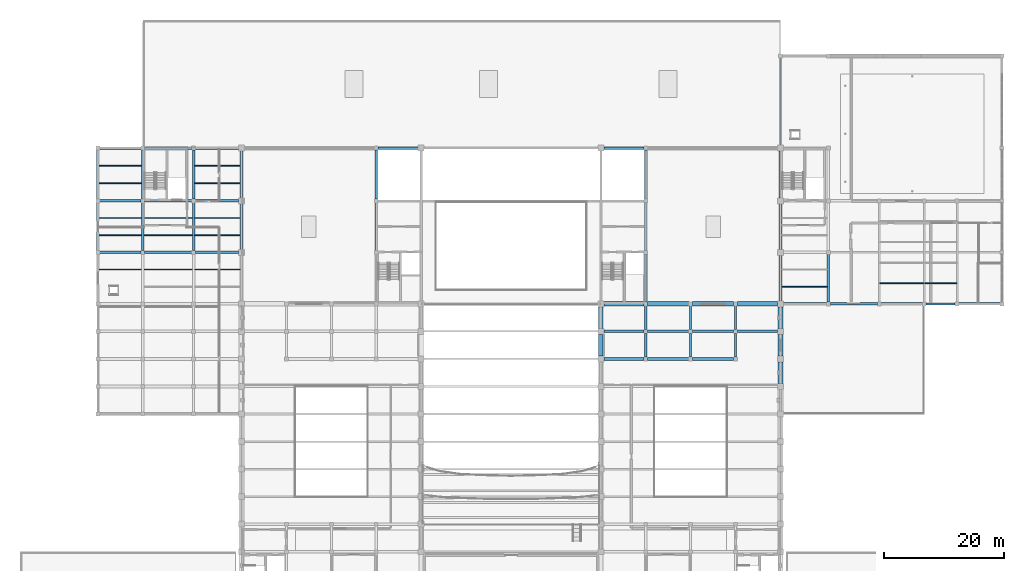
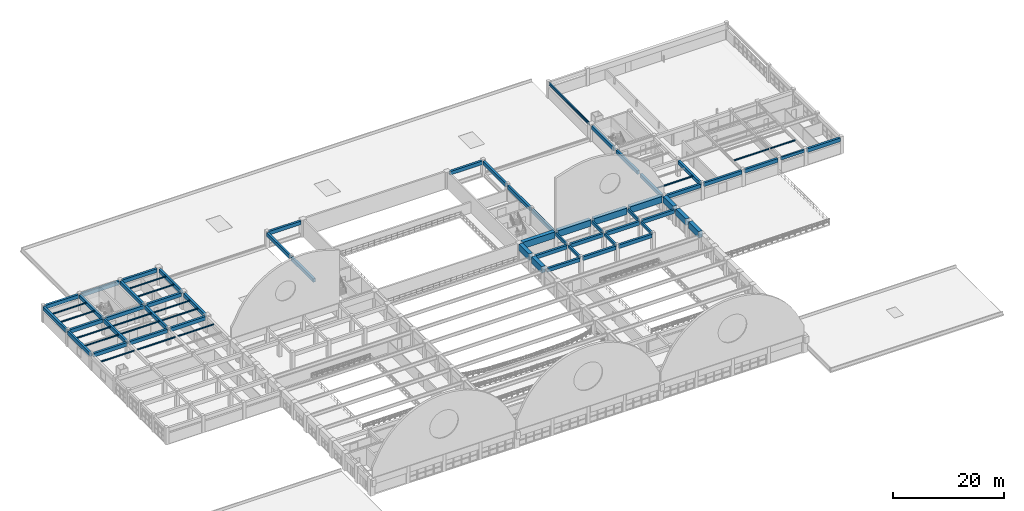
# One storey, part 31 of 74: 72 beams.
"""IFC4 building model written with IfcOpenShell, lengths in metres."""

from ifc_helpers import new_model, si_unit, direction, frame, origin, origin_2d, place, context, subcontext, project, spatial, rectangle, i_section, extrude, material, material_profile, profile_set, type_object, element, save


model = new_model("IFC4")

# Units and contexts
model_context = context("Model", 3, precision=1e-05, world=origin(), true_north=direction((0.0, 1.0)))
body_context = subcontext(model_context, "Body", "Model", "MODEL_VIEW")
ifc_project = project(units=[si_unit("LENGTHUNIT", "METRE"), si_unit("AREAUNIT", "SQUARE_METRE"), si_unit("VOLUMEUNIT", "CUBIC_METRE"), si_unit("PLANEANGLEUNIT", "RADIAN"), si_unit("MASSUNIT", "GRAM", prefix="KILO")], contexts=[model_context])

# Site, building, storey
site_placement = place(None, origin())
site = spatial("IfcSite", under=ifc_project, at=site_placement, CompositionType="ELEMENT")
building_placement = place(site_placement, origin())
building = spatial("IfcBuilding", under=site, at=building_placement, Name="Muzn Square Opera House", CompositionType="ELEMENT")
storey_placement = place(building_placement, frame((0.0, 0.0, 14.199951171875)))
storey = spatial("IfcBuildingStorey", under=building, at=storey_placement, Name="L03", CompositionType="ELEMENT", Elevation=14.199951171875)

# Beams
ifc_material_1 = material(Name="Concrete C40/50", Category="concrete")
ifc_material_profile_1 = material_profile(ifc_material_1, rectangle(XDim=0.35009765625, YDim=0.60009765625, at=origin_2d()), Name="RCB 350x600", Category="concrete")
ifc_profile_set_1 = profile_set([ifc_material_profile_1], Name="Concrete C40/50")
beam_type_1 = type_object("IfcBeamType", Name="Primary Girder 350x600", PredefinedType="BEAM", material=ifc_profile_set_1)
beam_1_placement = place(storey_placement, frame((157.31689453125, 72.60009765625, 3.219970703125), z_axis=(1.0, 0.0, 0.0), x_axis=(0.0, 1.0, 0.0)))
element("IfcBeam", 1, at=beam_1_placement, inside=storey, type_object=beam_type_1, Name="Primary Girder BM-L03-BM-PG600-1573_726_1622_726-2499", PredefinedType="BEAM", context=body_context, shape_type="SweptSolid", body=[
    extrude(rectangle(XDim=0.35009765625, YDim=0.60009765625, at=origin_2d()), origin(), (0.0, 0.0, 1.0), 4.8662109375),
])
for number, where, z_axis, x_axis, name in (
    (2, (110.5, 63.717041015625, 3.219970703125), (0.0, 1.0, 0.0), (-1.0, 0.0, 0.0), "Primary Girder BM-L03-BM-PG600-1105_637_1105_677-2598"),
    (3, (110.5, 68.31689453125, 3.219970703125), (0.0, 1.0, 0.0), (-1.0, 0.0, 0.0), "Primary Girder BM-L03-BM-PG600-1105_683_1105_723-2599"),
    (4, (118.0, 63.717041015625, 3.219970703125), (0.0, 1.0, 0.0), (-1.0, 0.0, 0.0), "Primary Girder BM-L03-BM-PG600-1180_637_1180_677-2606"),
    (5, (118.0, 68.31689453125, 3.219970703125), (0.0, 1.0, 0.0), (-1.0, 0.0, 0.0), "Primary Girder BM-L03-BM-PG600-1180_683_1180_723-2607"),
    (6, (125.5, 63.717041015625, 3.219970703125), (0.0, 1.0, 0.0), (-1.0, 0.0, 0.0), "Primary Girder BM-L03-BM-PG600-1255_637_1255_677-2611"),
    (7, (125.5, 68.31689453125, 3.219970703125), (0.0, 1.0, 0.0), (-1.0, 0.0, 0.0), "Primary Girder BM-L03-BM-PG600-1255_683_1255_723-2612"),
):
    element("IfcBeam", number, at=place(storey_placement, frame(where, z_axis=z_axis, x_axis=x_axis)), inside=storey, type_object=beam_type_1, Name=name, PredefinedType="BEAM", context=body_context, shape_type="SweptSolid", body=[
        extrude(rectangle(XDim=0.35009765625, YDim=0.60009765625, at=origin_2d()), origin(), (0.0, 0.0, 1.0), 3.966064453125),
    ])
ifc_material_profile_2 = material_profile(ifc_material_1, rectangle(XDim=0.449951171875, YDim=0.800048828125, at=origin_2d()), Name="RCB 450x800", Category="concrete")
ifc_profile_set_2 = profile_set([ifc_material_profile_2], Name="Concrete C40/50")
beam_type_2 = type_object("IfcBeamType", Name="Primary Girder 450x800", PredefinedType="BEAM", material=ifc_profile_set_2)
beam_2_placement = place(storey_placement, frame((103.491943359375, 63.39990234375, 3.1201171875), z_axis=(1.0, 0.0, 0.0), x_axis=(0.0, 1.0, 0.0)))
element("IfcBeam", 8, at=beam_2_placement, inside=storey, type_object=beam_type_2, Name="Primary Girder BM-L03-BM-PG800-1035_634_1102_634-2470", PredefinedType="BEAM", context=body_context, shape_type="SweptSolid", body=[
    extrude(rectangle(XDim=0.449951171875, YDim=0.800048828125, at=origin_2d()), origin(), (0.0, 0.0, 1.0), 6.691162109375),
])
for number, where, z_axis, x_axis, name in (
    (9, (110.81689453125, 63.39990234375, 3.1201171875), (1.0, 0.0, 0.0), (0.0, 1.0, 0.0), "Primary Girder BM-L03-BM-PG800-1108_634_1177_634-2471"),
    (10, (118.31689453125, 63.39990234375, 3.1201171875), (1.0, 0.0, 0.0), (0.0, 1.0, 0.0), "Primary Girder BM-L03-BM-PG800-1183_634_1252_634-2472"),
):
    element("IfcBeam", number, at=place(storey_placement, frame(where, z_axis=z_axis, x_axis=x_axis)), inside=storey, type_object=beam_type_2, Name=name, PredefinedType="BEAM", context=body_context, shape_type="SweptSolid", body=[
        extrude(rectangle(XDim=0.449951171875, YDim=0.800048828125, at=origin_2d()), origin(), (0.0, 0.0, 1.0), 6.8662109375),
    ])
beam_3_placement = place(storey_placement, frame((103.491943359375, 68.0, 3.1201171875), z_axis=(1.0, 0.0, 0.0), x_axis=(0.0, 1.0, 0.0)))
element("IfcBeam", 11, at=beam_3_placement, inside=storey, type_object=beam_type_2, Name="Primary Girder BM-L03-BM-PG800-1035_680_1102_680-2481", PredefinedType="BEAM", context=body_context, shape_type="SweptSolid", body=[
    extrude(rectangle(XDim=0.449951171875, YDim=0.800048828125, at=origin_2d()), origin(), (0.0, 0.0, 1.0), 6.691162109375),
])
for number, where, z_axis, x_axis, name in (
    (12, (110.81689453125, 68.0, 3.1201171875), (1.0, 0.0, 0.0), (0.0, 1.0, 0.0), "Primary Girder BM-L03-BM-PG800-1108_680_1177_680-2482"),
    (13, (118.31689453125, 68.0, 3.1201171875), (1.0, 0.0, 0.0), (0.0, 1.0, 0.0), "Primary Girder BM-L03-BM-PG800-1183_680_1252_680-2483"),
):
    element("IfcBeam", number, at=place(storey_placement, frame(where, z_axis=z_axis, x_axis=x_axis)), inside=storey, type_object=beam_type_2, Name=name, PredefinedType="BEAM", context=body_context, shape_type="SweptSolid", body=[
        extrude(rectangle(XDim=0.449951171875, YDim=0.800048828125, at=origin_2d()), origin(), (0.0, 0.0, 1.0), 6.8662109375),
    ])
beam_4_placement = place(storey_placement, frame((125.81689453125, 68.0, 3.1201171875), z_axis=(1.0, 0.0, 0.0), x_axis=(0.0, 1.0, 0.0)))
element("IfcBeam", 14, at=beam_4_placement, inside=storey, type_object=beam_type_2, Name="Primary Girder BM-L03-BM-PG800-1258_680_1325_680-2484", PredefinedType="BEAM", context=body_context, shape_type="SweptSolid", body=[
    extrude(rectangle(XDim=0.449951171875, YDim=0.800048828125, at=origin_2d()), origin(), (0.0, 0.0, 1.0), 6.691162109375),
])
beam_5_placement = place(storey_placement, frame((133.491943359375, 72.60009765625, 3.1201171875), z_axis=(1.0, 0.0, 0.0), x_axis=(0.0, 1.0, 0.0)))
element("IfcBeam", 15, at=beam_5_placement, inside=storey, type_object=beam_type_2, Name="Primary Girder BM-L03-BM-PG800-1335_726_1407_726-2496", PredefinedType="BEAM", context=body_context, shape_type="SweptSolid", body=[
    extrude(rectangle(XDim=0.449951171875, YDim=0.800048828125, at=origin_2d()), origin(), (0.0, 0.0, 1.0), 7.191162109375),
])
beam_6_placement = place(storey_placement, frame((141.31689453125, 72.60009765625, 3.1201171875), z_axis=(1.0, 0.0, 0.0), x_axis=(0.0, 1.0, 0.0)))
element("IfcBeam", 16, at=beam_6_placement, inside=storey, type_object=beam_type_2, Name="Primary Girder BM-L03-BM-PG800-1413_726_1492_726-2497", PredefinedType="BEAM", context=body_context, shape_type="SweptSolid", body=[
    extrude(rectangle(XDim=0.449951171875, YDim=0.800048828125, at=origin_2d()), origin(), (0.0, 0.0, 1.0), 7.8662109375),
])
for number, where, z_axis, x_axis, name in (
    (17, (149.81689453125, 72.60009765625, 3.1201171875), (1.0, 0.0, 0.0), (0.0, 1.0, 0.0), "Primary Girder BM-L03-BM-PG800-1498_726_1567_726-2498"),
    (18, (162.81689453125, 72.60009765625, 3.1201171875), (1.0, 0.0, 0.0), (0.0, 1.0, 0.0), "Primary Girder BM-L03-BM-PG800-1628_726_1697_726-2500"),
    (19, (19.31689453125, 81.199951171875, 3.1201171875), (1.0, 0.0, 0.0), (0.0, 1.0, 0.0), "Primary Girder BM-L03-BM-PG800-193_812_262_812-2501"),
):
    element("IfcBeam", number, at=place(storey_placement, frame(where, z_axis=z_axis, x_axis=x_axis)), inside=storey, type_object=beam_type_2, Name=name, PredefinedType="BEAM", context=body_context, shape_type="SweptSolid", body=[
        extrude(rectangle(XDim=0.449951171875, YDim=0.800048828125, at=origin_2d()), origin(), (0.0, 0.0, 1.0), 6.8662109375),
    ])
beam_7_placement = place(storey_placement, frame((26.81689453125, 81.199951171875, 3.1201171875), z_axis=(1.0, 0.0, 0.0), x_axis=(0.0, 1.0, 0.0)))
element("IfcBeam", 20, at=beam_7_placement, inside=storey, type_object=beam_type_2, Name="Primary Girder BM-L03-BM-PG800-268_812_347_812-2502", PredefinedType="BEAM", context=body_context, shape_type="SweptSolid", body=[
    extrude(rectangle(XDim=0.449951171875, YDim=0.800048828125, at=origin_2d()), origin(), (0.0, 0.0, 1.0), 7.8662109375),
])
beam_8_placement = place(storey_placement, frame((35.31689453125, 81.199951171875, 3.1201171875), z_axis=(1.0, 0.0, 0.0), x_axis=(0.0, 1.0, 0.0)))
element("IfcBeam", 21, at=beam_8_placement, inside=storey, type_object=beam_type_2, Name="Primary Girder BM-L03-BM-PG800-353_812_425_812-2503", PredefinedType="BEAM", context=body_context, shape_type="SweptSolid", body=[
    extrude(rectangle(XDim=0.449951171875, YDim=0.800048828125, at=origin_2d()), origin(), (0.0, 0.0, 1.0), 7.191162109375),
])
beam_9_placement = place(storey_placement, frame((19.31689453125, 89.800048828125, 3.1201171875), z_axis=(1.0, 0.0, 0.0), x_axis=(0.0, 1.0, 0.0)))
element("IfcBeam", 22, at=beam_9_placement, inside=storey, type_object=beam_type_2, Name="Primary Girder BM-L03-BM-PG800-193_898_262_898-2506", PredefinedType="BEAM", context=body_context, shape_type="SweptSolid", body=[
    extrude(rectangle(XDim=0.449951171875, YDim=0.800048828125, at=origin_2d()), origin(), (0.0, 0.0, 1.0), 6.8662109375),
])
beam_10_placement = place(storey_placement, frame((26.81689453125, 89.800048828125, 3.1201171875), z_axis=(1.0, 0.0, 0.0), x_axis=(0.0, 1.0, 0.0)))
element("IfcBeam", 23, at=beam_10_placement, inside=storey, type_object=beam_type_2, Name="Primary Girder BM-L03-BM-PG800-268_898_347_898-2507", PredefinedType="BEAM", context=body_context, shape_type="SweptSolid", body=[
    extrude(rectangle(XDim=0.449951171875, YDim=0.800048828125, at=origin_2d()), origin(), (0.0, 0.0, 1.0), 7.8662109375),
])
beam_11_placement = place(storey_placement, frame((35.31689453125, 89.800048828125, 3.1201171875), z_axis=(1.0, 0.0, 0.0), x_axis=(0.0, 1.0, 0.0)))
element("IfcBeam", 24, at=beam_11_placement, inside=storey, type_object=beam_type_2, Name="Primary Girder BM-L03-BM-PG800-353_898_425_898-2508", PredefinedType="BEAM", context=body_context, shape_type="SweptSolid", body=[
    extrude(rectangle(XDim=0.449951171875, YDim=0.800048828125, at=origin_2d()), origin(), (0.0, 0.0, 1.0), 7.191162109375),
])
beam_12_placement = place(storey_placement, frame((19.31689453125, 98.60009765625, 3.1201171875), z_axis=(1.0, 0.0, 0.0), x_axis=(0.0, 1.0, 0.0)))
element("IfcBeam", 25, at=beam_12_placement, inside=storey, type_object=beam_type_2, Name="Primary Girder BM-L03-BM-PG800-193_986_262_986-2514", PredefinedType="BEAM", context=body_context, shape_type="SweptSolid", body=[
    extrude(rectangle(XDim=0.449951171875, YDim=0.800048828125, at=origin_2d()), origin(), (0.0, 0.0, 1.0), 6.8662109375),
])
beam_13_placement = place(storey_placement, frame((26.81689453125, 98.60009765625, 3.1201171875), z_axis=(1.0, 0.0, 0.0), x_axis=(0.0, 1.0, 0.0)))
element("IfcBeam", 26, at=beam_13_placement, inside=storey, type_object=beam_type_2, Name="Primary Girder BM-L03-BM-PG800-268_986_347_986-2515", PredefinedType="BEAM", context=body_context, shape_type="SweptSolid", body=[
    extrude(rectangle(XDim=0.449951171875, YDim=0.800048828125, at=origin_2d()), origin(), (0.0, 0.0, 1.0), 7.8662109375),
])
beam_14_placement = place(storey_placement, frame((35.31689453125, 98.60009765625, 3.1201171875), z_axis=(1.0, 0.0, 0.0), x_axis=(0.0, 1.0, 0.0)))
element("IfcBeam", 27, at=beam_14_placement, inside=storey, type_object=beam_type_2, Name="Primary Girder BM-L03-BM-PG800-353_986_425_986-2516", PredefinedType="BEAM", context=body_context, shape_type="SweptSolid", body=[
    extrude(rectangle(XDim=0.449951171875, YDim=0.800048828125, at=origin_2d()), origin(), (0.0, 0.0, 1.0), 7.191162109375),
])
for number, where, z_axis, x_axis, name in (
    (28, (65.81689453125, 98.60009765625, 3.1201171875), (1.0, 0.0, 0.0), (0.0, 1.0, 0.0), "Primary Girder BM-L03-BM-PG800-658_986_725_986-2517"),
    (29, (103.491943359375, 98.60009765625, 3.1201171875), (1.0, 0.0, 0.0), (0.0, 1.0, 0.0), "Primary Girder BM-L03-BM-PG800-1035_986_1102_986-2518"),
):
    element("IfcBeam", number, at=place(storey_placement, frame(where, z_axis=z_axis, x_axis=x_axis)), inside=storey, type_object=beam_type_2, Name=name, PredefinedType="BEAM", context=body_context, shape_type="SweptSolid", body=[
        extrude(rectangle(XDim=0.449951171875, YDim=0.800048828125, at=origin_2d()), origin(), (0.0, 0.0, 1.0), 6.691162109375),
    ])
beam_15_placement = place(storey_placement, frame((19.0, 81.51708984375, 3.1201171875), z_axis=(0.0, 1.0, 0.0), x_axis=(-1.0, 0.0, 0.0)))
element("IfcBeam", 30, at=beam_15_placement, inside=storey, type_object=beam_type_2, Name="Primary Girder BM-L03-BM-PG800-190_815_190_895-2525", PredefinedType="BEAM", context=body_context, shape_type="SweptSolid", body=[
    extrude(rectangle(XDim=0.449951171875, YDim=0.800048828125, at=origin_2d()), origin(), (0.0, 0.0, 1.0), 7.9658203125),
])
beam_16_placement = place(storey_placement, frame((19.0, 90.116943359375, 3.1201171875), z_axis=(0.0, 1.0, 0.0), x_axis=(-1.0, 0.0, 0.0)))
element("IfcBeam", 31, at=beam_16_placement, inside=storey, type_object=beam_type_2, Name="Primary Girder BM-L03-BM-PG800-190_901_190_983-2526", PredefinedType="BEAM", context=body_context, shape_type="SweptSolid", body=[
    extrude(rectangle(XDim=0.449951171875, YDim=0.800048828125, at=origin_2d()), origin(), (0.0, 0.0, 1.0), 8.166015625),
])
beam_17_placement = place(storey_placement, frame((26.5, 81.51708984375, 3.1201171875), z_axis=(0.0, 1.0, 0.0), x_axis=(-1.0, 0.0, 0.0)))
element("IfcBeam", 32, at=beam_17_placement, inside=storey, type_object=beam_type_2, Name="Primary Girder BM-L03-BM-PG800-265_815_265_895-2532", PredefinedType="BEAM", context=body_context, shape_type="SweptSolid", body=[
    extrude(rectangle(XDim=0.449951171875, YDim=0.800048828125, at=origin_2d()), origin(), (0.0, 0.0, 1.0), 7.9658203125),
])
beam_18_placement = place(storey_placement, frame((26.5, 90.116943359375, 3.1201171875), z_axis=(0.0, 1.0, 0.0), x_axis=(-1.0, 0.0, 0.0)))
element("IfcBeam", 33, at=beam_18_placement, inside=storey, type_object=beam_type_2, Name="Primary Girder BM-L03-BM-PG800-265_901_265_983-2533", PredefinedType="BEAM", context=body_context, shape_type="SweptSolid", body=[
    extrude(rectangle(XDim=0.449951171875, YDim=0.800048828125, at=origin_2d()), origin(), (0.0, 0.0, 1.0), 8.166015625),
])
beam_19_placement = place(storey_placement, frame((35.0, 81.51708984375, 3.1201171875), z_axis=(0.0, 1.0, 0.0), x_axis=(-1.0, 0.0, 0.0)))
element("IfcBeam", 34, at=beam_19_placement, inside=storey, type_object=beam_type_2, Name="Primary Girder BM-L03-BM-PG800-350_815_350_895-2539", PredefinedType="BEAM", context=body_context, shape_type="SweptSolid", body=[
    extrude(rectangle(XDim=0.449951171875, YDim=0.800048828125, at=origin_2d()), origin(), (0.0, 0.0, 1.0), 7.9658203125),
])
beam_20_placement = place(storey_placement, frame((35.0, 90.116943359375, 3.1201171875), z_axis=(0.0, 1.0, 0.0), x_axis=(-1.0, 0.0, 0.0)))
element("IfcBeam", 35, at=beam_20_placement, inside=storey, type_object=beam_type_2, Name="Primary Girder BM-L03-BM-PG800-350_901_350_983-2540", PredefinedType="BEAM", context=body_context, shape_type="SweptSolid", body=[
    extrude(rectangle(XDim=0.449951171875, YDim=0.800048828125, at=origin_2d()), origin(), (0.0, 0.0, 1.0), 8.166015625),
])
beam_21_placement = place(storey_placement, frame((43.0, 81.69189453125, 3.1201171875), z_axis=(0.0, 1.0, 0.0), x_axis=(-1.0, 0.0, 0.0)))
element("IfcBeam", 36, at=beam_21_placement, inside=storey, type_object=beam_type_2, Name="Primary Girder BM-L03-BM-PG800-430_817_430_893-2553", PredefinedType="BEAM", context=body_context, shape_type="SweptSolid", body=[
    extrude(rectangle(XDim=0.449951171875, YDim=0.800048828125, at=origin_2d()), origin(), (0.0, 0.0, 1.0), 7.6162109375),
])
beam_22_placement = place(storey_placement, frame((43.0, 90.2919921875, 3.1201171875), z_axis=(0.0, 1.0, 0.0), x_axis=(-1.0, 0.0, 0.0)))
element("IfcBeam", 37, at=beam_22_placement, inside=storey, type_object=beam_type_2, Name="Primary Girder BM-L03-BM-PG800-430_903_430_981-2554", PredefinedType="BEAM", context=body_context, shape_type="SweptSolid", body=[
    extrude(rectangle(XDim=0.449951171875, YDim=0.800048828125, at=origin_2d()), origin(), (0.0, 0.0, 1.0), 7.81591796875),
])
beam_23_placement = place(storey_placement, frame((65.5, 81.51708984375, 3.1201171875), z_axis=(0.0, 1.0, 0.0), x_axis=(-1.0, 0.0, 0.0)))
element("IfcBeam", 38, at=beam_23_placement, inside=storey, type_object=beam_type_2, Name="Primary Girder BM-L03-BM-PG800-655_815_655_895-2571", PredefinedType="BEAM", context=body_context, shape_type="SweptSolid", body=[
    extrude(rectangle(XDim=0.449951171875, YDim=0.800048828125, at=origin_2d()), origin(), (0.0, 0.0, 1.0), 7.9658203125),
])
beam_24_placement = place(storey_placement, frame((65.5, 90.116943359375, 3.1201171875), z_axis=(0.0, 1.0, 0.0), x_axis=(-1.0, 0.0, 0.0)))
element("IfcBeam", 39, at=beam_24_placement, inside=storey, type_object=beam_type_2, Name="Primary Girder BM-L03-BM-PG800-655_901_655_983-2572", PredefinedType="BEAM", context=body_context, shape_type="SweptSolid", body=[
    extrude(rectangle(XDim=0.449951171875, YDim=0.800048828125, at=origin_2d()), origin(), (0.0, 0.0, 1.0), 8.166015625),
])
beam_25_placement = place(storey_placement, frame((110.5, 72.9169921875, 3.1201171875), z_axis=(0.0, 1.0, 0.0), x_axis=(-1.0, 0.0, 0.0)))
element("IfcBeam", 40, at=beam_25_placement, inside=storey, type_object=beam_type_2, Name="Primary Girder BM-L03-BM-PG800-1105_729_1105_809-2600", PredefinedType="BEAM", context=body_context, shape_type="SweptSolid", body=[
    extrude(rectangle(XDim=0.449951171875, YDim=0.800048828125, at=origin_2d()), origin(), (0.0, 0.0, 1.0), 7.966064453125),
])
beam_26_placement = place(storey_placement, frame((110.5, 81.51708984375, 3.1201171875), z_axis=(0.0, 1.0, 0.0), x_axis=(-1.0, 0.0, 0.0)))
element("IfcBeam", 41, at=beam_26_placement, inside=storey, type_object=beam_type_2, Name="Primary Girder BM-L03-BM-PG800-1105_815_1105_895-2601", PredefinedType="BEAM", context=body_context, shape_type="SweptSolid", body=[
    extrude(rectangle(XDim=0.449951171875, YDim=0.800048828125, at=origin_2d()), origin(), (0.0, 0.0, 1.0), 7.9658203125),
])
beam_27_placement = place(storey_placement, frame((110.5, 90.116943359375, 3.1201171875), z_axis=(0.0, 1.0, 0.0), x_axis=(-1.0, 0.0, 0.0)))
element("IfcBeam", 42, at=beam_27_placement, inside=storey, type_object=beam_type_2, Name="Primary Girder BM-L03-BM-PG800-1105_901_1105_983-2602", PredefinedType="BEAM", context=body_context, shape_type="SweptSolid", body=[
    extrude(rectangle(XDim=0.449951171875, YDim=0.800048828125, at=origin_2d()), origin(), (0.0, 0.0, 1.0), 8.166015625),
])
beam_28_placement = place(storey_placement, frame((133.0, 73.092041015625, 3.1201171875), z_axis=(0.0, 1.0, 0.0), x_axis=(-1.0, 0.0, 0.0)))
element("IfcBeam", 43, at=beam_28_placement, inside=storey, type_object=beam_type_2, Name="Primary Girder BM-L03-BM-PG800-1330_731_1330_807-2624", PredefinedType="BEAM", context=body_context, shape_type="SweptSolid", body=[
    extrude(rectangle(XDim=0.449951171875, YDim=0.800048828125, at=origin_2d()), origin(), (0.0, 0.0, 1.0), 7.615966796875),
])
beam_29_placement = place(storey_placement, frame((133.0, 81.69189453125, 3.1201171875), z_axis=(0.0, 1.0, 0.0), x_axis=(-1.0, 0.0, 0.0)))
element("IfcBeam", 44, at=beam_29_placement, inside=storey, type_object=beam_type_2, Name="Primary Girder BM-L03-BM-PG800-1330_817_1330_893-2625", PredefinedType="BEAM", context=body_context, shape_type="SweptSolid", body=[
    extrude(rectangle(XDim=0.449951171875, YDim=0.800048828125, at=origin_2d()), origin(), (0.0, 0.0, 1.0), 7.6162109375),
])
beam_30_placement = place(storey_placement, frame((133.0, 90.2919921875, 3.1201171875), z_axis=(0.0, 1.0, 0.0), x_axis=(-1.0, 0.0, 0.0)))
element("IfcBeam", 45, at=beam_30_placement, inside=storey, type_object=beam_type_2, Name="Primary Girder BM-L03-BM-PG800-1330_903_1330_981-2626", PredefinedType="BEAM", context=body_context, shape_type="SweptSolid", body=[
    extrude(rectangle(XDim=0.449951171875, YDim=0.800048828125, at=origin_2d()), origin(), (0.0, 0.0, 1.0), 7.81591796875),
])
beam_31_placement = place(storey_placement, frame((141.0, 72.9169921875, 3.1201171875), z_axis=(0.0, 1.0, 0.0), x_axis=(-1.0, 0.0, 0.0)))
element("IfcBeam", 46, at=beam_31_placement, inside=storey, type_object=beam_type_2, Name="Primary Girder BM-L03-BM-PG800-1410_729_1410_809-2627", PredefinedType="BEAM", context=body_context, shape_type="SweptSolid", body=[
    extrude(rectangle(XDim=0.449951171875, YDim=0.800048828125, at=origin_2d()), origin(), (0.0, 0.0, 1.0), 7.966064453125),
])
ifc_material_2 = material(Name="Steel S355", Category="steel")
ifc_material_profile_3 = material_profile(ifc_material_2, i_section(OverallWidth=0.14990234375, OverallDepth=0.300048828125, WebThickness=0.007080078125, FlangeThickness=0.0107421875, FilletRadius=0.014892578125, at=origin_2d()), Name="IPE 300", Category="steel")
ifc_profile_set_3 = profile_set([ifc_material_profile_3], Name="Steel S355")
beam_type_3 = type_object("IfcBeamType", Name="Secondary Steel Joist IPE300", PredefinedType="JOIST", material=ifc_profile_set_3)
for number, where, z_axis, x_axis, name in (
    (47, (19.217041015625, 78.333251953125, 3.3701171875), (1.0, 0.0, 0.0), (0.0, 1.0, 0.0), "Floor Joist BM-L03-BM-SJ300-192_783_263_783-2637"),
    (48, (19.217041015625, 84.066650390625, 3.3701171875), (1.0, 0.0, 0.0), (0.0, 1.0, 0.0), "Floor Joist BM-L03-BM-SJ300-192_841_263_841-2638"),
    (49, (19.217041015625, 86.933349609375, 3.3701171875), (1.0, 0.0, 0.0), (0.0, 1.0, 0.0), "Floor Joist BM-L03-BM-SJ300-192_869_263_869-2639"),
    (50, (19.217041015625, 92.7333984375, 3.3701171875), (1.0, 0.0, 0.0), (0.0, 1.0, 0.0), "Floor Joist BM-L03-BM-SJ300-192_927_263_927-2640"),
    (51, (19.217041015625, 95.666748046875, 3.3701171875), (1.0, 0.0, 0.0), (0.0, 1.0, 0.0), "Floor Joist BM-L03-BM-SJ300-192_957_263_957-2641"),
):
    element("IfcBeam", number, at=place(storey_placement, frame(where, z_axis=z_axis, x_axis=x_axis)), inside=storey, type_object=beam_type_3, Name=name, PredefinedType="JOIST", context=body_context, shape_type="SweptSolid", body=[
        extrude(i_section(OverallWidth=0.14990234375, OverallDepth=0.300048828125, WebThickness=0.007080078125, FlangeThickness=0.0107421875, FilletRadius=0.014892578125, at=origin_2d()), origin(), (0.0, 0.0, 1.0), 7.06591796875),
    ])
for number, where, z_axis, x_axis, name in (
    (52, (26.717041015625, 78.333251953125, 3.3701171875), (1.0, 0.0, 0.0), (0.0, 1.0, 0.0), "Floor Joist BM-L03-BM-SJ300-267_783_348_783-2643"),
    (53, (26.717041015625, 84.066650390625, 3.3701171875), (1.0, 0.0, 0.0), (0.0, 1.0, 0.0), "Floor Joist BM-L03-BM-SJ300-267_841_348_841-2644"),
    (54, (26.717041015625, 86.933349609375, 3.3701171875), (1.0, 0.0, 0.0), (0.0, 1.0, 0.0), "Floor Joist BM-L03-BM-SJ300-267_869_348_869-2645"),
):
    element("IfcBeam", number, at=place(storey_placement, frame(where, z_axis=z_axis, x_axis=x_axis)), inside=storey, type_object=beam_type_3, Name=name, PredefinedType="JOIST", context=body_context, shape_type="SweptSolid", body=[
        extrude(i_section(OverallWidth=0.14990234375, OverallDepth=0.300048828125, WebThickness=0.007080078125, FlangeThickness=0.0107421875, FilletRadius=0.014892578125, at=origin_2d()), origin(), (0.0, 0.0, 1.0), 8.06591796875),
    ])
for number, where, z_axis, x_axis, name in (
    (55, (35.217041015625, 78.333251953125, 3.3701171875), (1.0, 0.0, 0.0), (0.0, 1.0, 0.0), "Floor Joist BM-L03-BM-SJ300-352_783_428_783-2647"),
    (56, (35.217041015625, 84.066650390625, 3.3701171875), (1.0, 0.0, 0.0), (0.0, 1.0, 0.0), "Floor Joist BM-L03-BM-SJ300-352_841_428_841-2648"),
    (57, (35.217041015625, 86.933349609375, 3.3701171875), (1.0, 0.0, 0.0), (0.0, 1.0, 0.0), "Floor Joist BM-L03-BM-SJ300-352_869_428_869-2649"),
    (58, (35.217041015625, 92.7333984375, 3.3701171875), (1.0, 0.0, 0.0), (0.0, 1.0, 0.0), "Floor Joist BM-L03-BM-SJ300-352_927_428_927-2650"),
    (59, (35.217041015625, 95.666748046875, 3.3701171875), (1.0, 0.0, 0.0), (0.0, 1.0, 0.0), "Floor Joist BM-L03-BM-SJ300-352_957_428_957-2651"),
    (60, (133.217041015625, 75.466796875, 3.3701171875), (1.0, 0.0, 0.0), (0.0, 1.0, 0.0), "Floor Joist BM-L03-BM-SJ300-1332_755_1408_755-2652"),
):
    element("IfcBeam", number, at=place(storey_placement, frame(where, z_axis=z_axis, x_axis=x_axis)), inside=storey, type_object=beam_type_3, Name=name, PredefinedType="JOIST", context=body_context, shape_type="SweptSolid", body=[
        extrude(i_section(OverallWidth=0.14990234375, OverallDepth=0.300048828125, WebThickness=0.007080078125, FlangeThickness=0.0107421875, FilletRadius=0.014892578125, at=origin_2d()), origin(), (0.0, 0.0, 1.0), 7.56591796875),
    ])
beam_32_placement = place(storey_placement, frame((149.60205078125, 76.0400390625, 3.3701171875), z_axis=(1.0, 0.0, 0.0), x_axis=(0.0, 1.0, 0.0)))
element("IfcBeam", 61, at=beam_32_placement, inside=storey, type_object=beam_type_3, Name="Floor Joist BM-L03-BM-SJ300-1496_760_1569_760-2656", PredefinedType="JOIST", context=body_context, shape_type="SweptSolid", body=[
    extrude(i_section(OverallWidth=0.14990234375, OverallDepth=0.300048828125, WebThickness=0.007080078125, FlangeThickness=0.0107421875, FilletRadius=0.014892578125, at=origin_2d()), origin(), (0.0, 0.0, 1.0), 7.2958984375),
])
beam_33_placement = place(storey_placement, frame((157.10205078125, 76.0400390625, 3.3701171875), z_axis=(1.0, 0.0, 0.0), x_axis=(0.0, 1.0, 0.0)))
element("IfcBeam", 62, at=beam_33_placement, inside=storey, type_object=beam_type_3, Name="Floor Joist BM-L03-BM-SJ300-1571_760_1624_760-2660", PredefinedType="JOIST", context=body_context, shape_type="SweptSolid", body=[
    extrude(i_section(OverallWidth=0.14990234375, OverallDepth=0.300048828125, WebThickness=0.007080078125, FlangeThickness=0.0107421875, FilletRadius=0.014892578125, at=origin_2d()), origin(), (0.0, 0.0, 1.0), 5.2958984375),
])
ifc_material_profile_4 = material_profile(ifc_material_2, i_section(OverallWidth=0.219970703125, OverallDepth=0.60009765625, WebThickness=0.011962890625, FlangeThickness=0.01904296875, FilletRadius=0.02392578125, at=origin_2d()), Name="IPE 600", Category="steel")
ifc_profile_set_4 = profile_set([ifc_material_profile_4], Name="Steel S355")
beam_type_4 = type_object("IfcBeamType", Name="Stage Gallery Beam IPE600", PredefinedType="BEAM", material=ifc_profile_set_4)
beam_34_placement = place(storey_placement, frame((133.0, 99.092041015625, 3.219970703125), z_axis=(0.0, 1.0, 0.0), x_axis=(-1.0, 0.0, 0.0)))
element("IfcBeam", 63, at=beam_34_placement, inside=storey, type_object=beam_type_4, Name="Primary Girder BM-N114-L03-023", PredefinedType="BEAM", context=body_context, shape_type="SweptSolid", body=[
    extrude(i_section(OverallWidth=0.219970703125, OverallDepth=0.60009765625, WebThickness=0.011962890625, FlangeThickness=0.01904296875, FilletRadius=0.02392578125, at=origin_2d()), origin(), (0.0, 0.0, 1.0), 14.591064453125),
])
ifc_material_3 = material(Name="Concrete C45/55", Category="concrete")
ifc_material_profile_5 = material_profile(ifc_material_3, rectangle(XDim=0.800048828125, YDim=1.39990234375, at=origin_2d()), Name="RCB 800x1400", Category="concrete")
ifc_profile_set_5 = profile_set([ifc_material_profile_5], Name="Concrete C45/55")
beam_type_5 = type_object("IfcBeamType", Name="Vault Springing Girder 800x1400", PredefinedType="BEAM", material=ifc_profile_set_5)
beam_35_placement = place(storey_placement, frame((103.491943359375, 72.60009765625, 3.10009765625), z_axis=(1.0, 0.0, 0.0), x_axis=(0.0, 1.0, 0.0)))
element("IfcBeam", 64, at=beam_35_placement, inside=storey, type_object=beam_type_5, Name="Gable Support Girder BM-L03-BM-VS1400-1035_726_1102_726-2492", PredefinedType="BEAM", context=body_context, shape_type="SweptSolid", body=[
    extrude(rectangle(XDim=0.800048828125, YDim=1.39990234375, at=origin_2d()), origin(), (0.0, 0.0, 1.0), 6.691162109375),
])
for number, where, z_axis, x_axis, name in (
    (65, (110.81689453125, 72.60009765625, 3.10009765625), (1.0, 0.0, 0.0), (0.0, 1.0, 0.0), "Gable Support Girder BM-L03-BM-VS1400-1108_726_1177_726-2493"),
    (66, (118.31689453125, 72.60009765625, 3.10009765625), (1.0, 0.0, 0.0), (0.0, 1.0, 0.0), "Gable Support Girder BM-L03-BM-VS1400-1183_726_1252_726-2494"),
):
    element("IfcBeam", number, at=place(storey_placement, frame(where, z_axis=z_axis, x_axis=x_axis)), inside=storey, type_object=beam_type_5, Name=name, PredefinedType="BEAM", context=body_context, shape_type="SweptSolid", body=[
        extrude(rectangle(XDim=0.800048828125, YDim=1.39990234375, at=origin_2d()), origin(), (0.0, 0.0, 1.0), 6.8662109375),
    ])
beam_36_placement = place(storey_placement, frame((125.81689453125, 72.60009765625, 3.10009765625), z_axis=(1.0, 0.0, 0.0), x_axis=(0.0, 1.0, 0.0)))
element("IfcBeam", 67, at=beam_36_placement, inside=storey, type_object=beam_type_5, Name="Gable Support Girder BM-L03-BM-VS1400-1258_726_1325_726-2495", PredefinedType="BEAM", context=body_context, shape_type="SweptSolid", body=[
    extrude(rectangle(XDim=0.800048828125, YDim=1.39990234375, at=origin_2d()), origin(), (0.0, 0.0, 1.0), 6.691162109375),
])
for number, where, z_axis, x_axis, name in (
    (68, (103.0, 63.89208984375, 3.10009765625), (0.0, 1.0, 0.0), (-1.0, 0.0, 0.0), "Vault Springing Girder BM-L03-BM-VS1400-1030_639_1030_675-2593"),
    (69, (103.0, 68.491943359375, 3.10009765625), (0.0, 1.0, 0.0), (-1.0, 0.0, 0.0), "Vault Springing Girder BM-L03-BM-VS1400-1030_685_1030_721-2594"),
    (70, (133.0, 59.2919921875, 3.10009765625), (0.0, 1.0, 0.0), (-1.0, 0.0, 0.0), "Vault Springing Girder BM-L03-BM-VS1400-1330_593_1330_629-2621"),
    (71, (133.0, 63.89208984375, 3.10009765625), (0.0, 1.0, 0.0), (-1.0, 0.0, 0.0), "Vault Springing Girder BM-L03-BM-VS1400-1330_639_1330_675-2622"),
    (72, (133.0, 68.491943359375, 3.10009765625), (0.0, 1.0, 0.0), (-1.0, 0.0, 0.0), "Vault Springing Girder BM-L03-BM-VS1400-1330_685_1330_721-2623"),
):
    element("IfcBeam", number, at=place(storey_placement, frame(where, z_axis=z_axis, x_axis=x_axis)), inside=storey, type_object=beam_type_5, Name=name, PredefinedType="BEAM", context=body_context, shape_type="SweptSolid", body=[
        extrude(rectangle(XDim=0.800048828125, YDim=1.39990234375, at=origin_2d()), origin(), (0.0, 0.0, 1.0), 3.615966796875),
    ])

save(model, "model.ifc")
